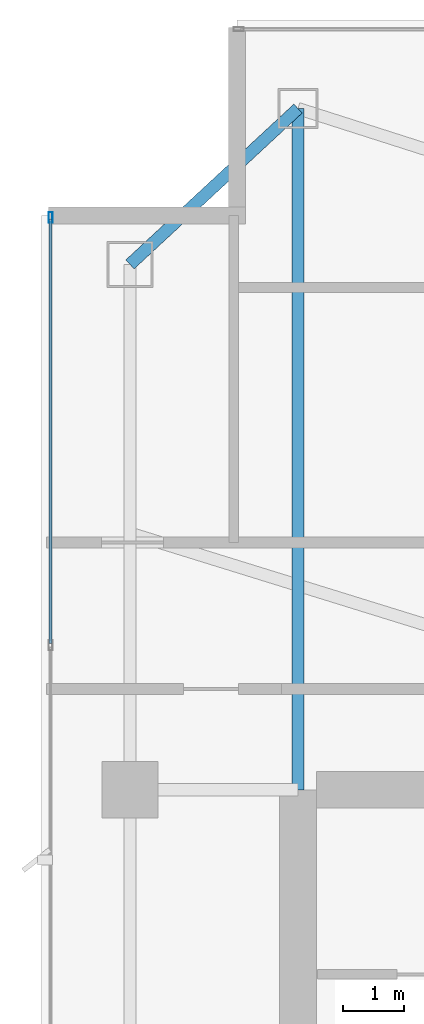
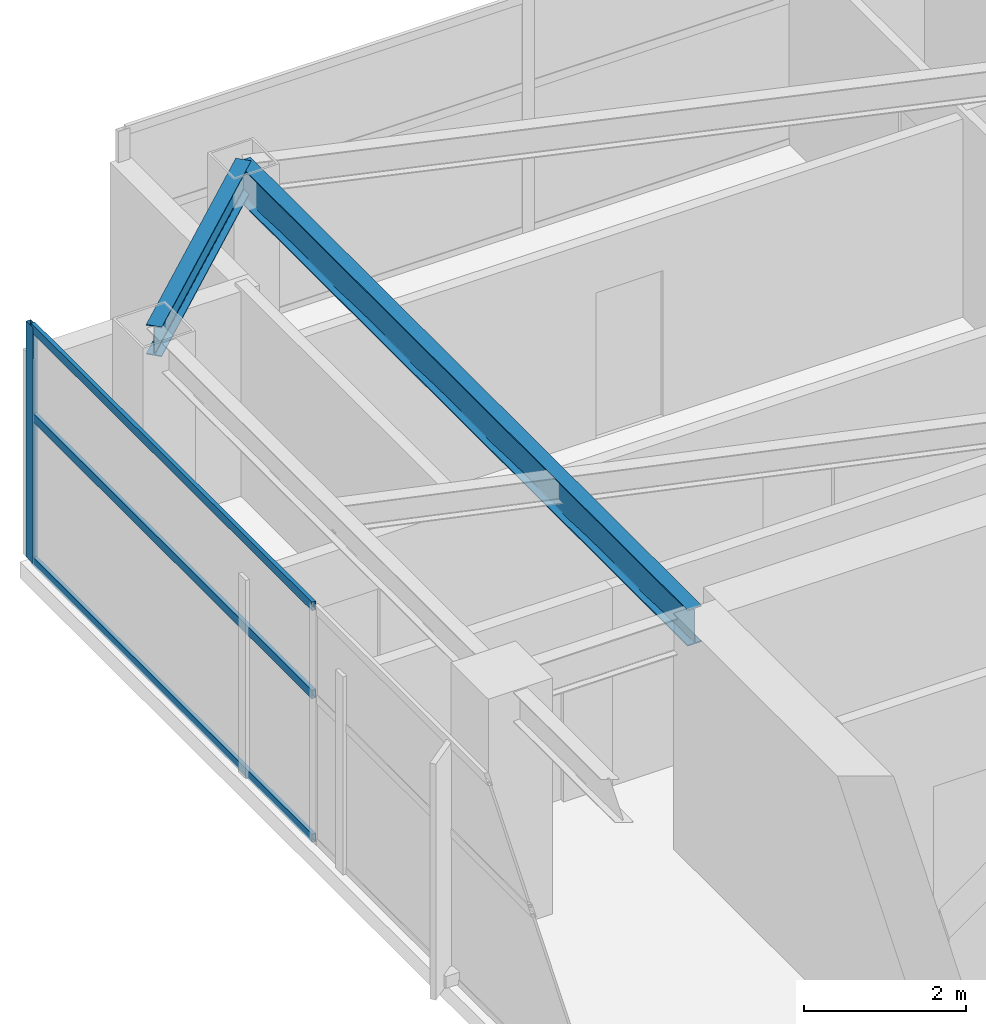
# One storey, part 17 of 28: 4 members, 2 beams, 1 element without a shape of its own.
"""IFC4 building model written with IfcOpenShell, lengths in metres."""

from ifc_helpers import new_model, si_unit, direction, frame, origin, origin_2d, place, context, subcontext, project, spatial, hollow_rectangle, i_section, extrude, material, layer, layer_set, material_profile, profile_set, type_object, element, aggregate, save


model = new_model("IFC4")

# Units and contexts
model_context = context("Model", 3, precision=1e-05, world=origin(), true_north=direction((0.0, 1.0)))
body_context = subcontext(model_context, "Body", "Model", "MODEL_VIEW")
ifc_project = project(units=[si_unit("LENGTHUNIT", "METRE"), si_unit("AREAUNIT", "SQUARE_METRE"), si_unit("VOLUMEUNIT", "CUBIC_METRE"), si_unit("PLANEANGLEUNIT", "RADIAN"), si_unit("MASSUNIT", "GRAM", prefix="KILO")], contexts=[model_context])

# Site, building, storey
site_placement = place(None, origin())
site = spatial("IfcSite", under=ifc_project, at=site_placement, CompositionType="ELEMENT")
building_placement = place(site_placement, origin())
building = spatial("IfcBuilding", under=site, at=building_placement, Name="Calvorn Quay Hotel", CompositionType="ELEMENT")
storey_placement = place(building_placement, frame((0.0, 0.0, 274.89990234375)))
storey = spatial("IfcBuildingStorey", under=building, at=storey_placement, Name="L68", CompositionType="ELEMENT", Elevation=274.89990234375)

# Beams
ifc_material_1 = material(Name="Steel Q355B", Category="steel")
ifc_material_profile_1 = material_profile(ifc_material_1, i_section(OverallWidth=0.199951171875, OverallDepth=0.550048828125, WebThickness=0.010009765625, FlangeThickness=0.01611328125, FilletRadius=0.01806640625, at=origin_2d()), Name="HN550x200x10x16")
ifc_profile_set_1 = profile_set([ifc_material_profile_1], Name="Steel Q355B")
beam_type_1 = type_object("IfcBeamType", Name="BM-GIRD-UPP", PredefinedType="BEAM", material=ifc_profile_set_1)
beam_1_placement = place(storey_placement, frame((4.199951171875, 49.550048828125, 3.26513671875), z_axis=(0.0, -1.0, 0.0), x_axis=(1.0, 0.0, 0.0)))
element("IfcBeam", 1, at=beam_1_placement, inside=storey, type_object=beam_type_1, Name="Beam BG-L68-W5", PredefinedType="BEAM", context=body_context, shape_type="SweptSolid", body=[
    extrude(i_section(OverallWidth=0.199951171875, OverallDepth=0.550048828125, WebThickness=0.010009765625, FlangeThickness=0.01611328125, FilletRadius=0.01806640625, at=origin_2d()), origin(), (0.0, 0.0, 1.0), 11.150146484375),
])
ifc_material_2 = material(Name="Steel Q355B", Category="steel")
ifc_material_profile_2 = material_profile(ifc_material_2, i_section(OverallWidth=0.199951171875, OverallDepth=0.449951171875, WebThickness=0.009033203125, FlangeThickness=0.013916015625, FilletRadius=0.01611328125, at=origin_2d()), Name="HN450x200x9x14")
ifc_profile_set_2 = profile_set([ifc_material_profile_2], Name="Steel Q355B")
beam_type_2 = type_object("IfcBeamType", Name="BM-SPANDREL-Z3", PredefinedType="SPANDREL", material=ifc_profile_set_2)
beam_2_placement = place(storey_placement, frame((1.449951171875, 47.0, 3.315185546875), z_axis=(0.733261665538, 0.679946563969, 0.0), x_axis=(-0.679946563969, 0.733261665538, 0.0)))
element("IfcBeam", 2, at=beam_2_placement, inside=storey, type_object=beam_type_2, Name="Beam BSP-L68-W5", PredefinedType="SPANDREL", context=body_context, shape_type="SweptSolid", body=[
    extrude(i_section(OverallWidth=0.199951171875, OverallDepth=0.449951171875, WebThickness=0.009033203125, FlangeThickness=0.013916015625, FilletRadius=0.01611328125, at=origin_2d()), origin(), (0.0, 0.0, 1.0), 3.75048828125),
])

# Curtain wall, members
ifc_material_3 = material(Name="Champagne Bronze Anodised Aluminium and Low-E Glass", Category="aluminium")
ifc_layer = layer(ifc_material_3, 0.219970703125)
ifc_layer_set = layer_set([ifc_layer], Name="CW-SYS-Z4")
curtain_wall_type = type_object("IfcCurtainWallType", Name="CW-SYS-Z4", PredefinedType="NOTDEFINED", material=ifc_layer_set)
curtain_wall_placement = place(storey_placement, origin())
curtain_wall = element("IfcCurtainWall", 3, at=curtain_wall_placement, inside=storey, type_object=curtain_wall_type, Name="Tower West Curtain Wall (L68)", PredefinedType="NOTDEFINED")
ifc_material_4 = material(Name="Champagne Bronze Anodised Aluminium 6063-T6", Category="aluminium")
ifc_material_profile_3 = material_profile(ifc_material_4, hollow_rectangle(XDim=0.06494140625, YDim=0.169921875, WallThickness=0.00341796875, at=origin_2d()), Name="ALU-M170x65x3.5")
ifc_profile_set_3 = profile_set([ifc_material_profile_3], Name="Champagne Bronze Anodised Aluminium 6063-T6")
member_type_1 = type_object("IfcMemberType", Name="CW-SYS-Z4-MUL", PredefinedType="MULLION", material=ifc_profile_set_3)
member_1_placement = place(storey_placement, frame((0.14990234375, 47.77001953125, 0.0), z_axis=(0.0, 0.0, 1.0), x_axis=(-1.0, 0.0, 0.0)))
member_1 = element("IfcMember", 4, at=member_1_placement, type_object=member_type_1, Name="CW-L68-W mullion 7", PredefinedType="MULLION", context=body_context, shape_type="SweptSolid", body=[
    extrude(hollow_rectangle(XDim=0.06494140625, YDim=0.169921875, WallThickness=0.00341796875, at=origin_2d()), origin(), (0.0, 0.0, 1.0), 3.56005859375),
])
ifc_material_5 = material(Name="Champagne Bronze Anodised Aluminium 6063-T6", Category="aluminium")
ifc_material_profile_4 = material_profile(ifc_material_5, hollow_rectangle(XDim=0.054931640625, YDim=0.1298828125, WallThickness=0.003173828125, at=origin_2d()), Name="ALU-T130x55x3.2")
ifc_profile_set_4 = profile_set([ifc_material_profile_4], Name="Champagne Bronze Anodised Aluminium 6063-T6")
member_type_2 = type_object("IfcMemberType", Name="CW-SYS-Z4-TRN", PredefinedType="USERDEFINED", material=ifc_profile_set_4)
member_2_placement = place(storey_placement, frame((0.14990234375, 40.796630859375, 0.030029296875), z_axis=(0.0, 1.0, 0.0), x_axis=(-1.0, 0.0, 0.0)))
member_2 = element("IfcMember", 5, at=member_2_placement, type_object=member_type_2, Name="CW-L68-W transom 6.1", ObjectType="TRANSOM", PredefinedType="USERDEFINED", context=body_context, shape_type="SweptSolid", body=[
    extrude(hollow_rectangle(XDim=0.054931640625, YDim=0.1298828125, WallThickness=0.003173828125, at=origin_2d()), origin(), (0.0, 0.0, 1.0), 6.943359375),
])
member_3_placement = place(storey_placement, frame((0.14990234375, 40.796630859375, 2.2001953125), z_axis=(0.0, 1.0, 0.0), x_axis=(-1.0, 0.0, 0.0)))
member_3 = element("IfcMember", 6, at=member_3_placement, type_object=member_type_2, Name="CW-L68-W transom 6.2", ObjectType="TRANSOM", PredefinedType="USERDEFINED", context=body_context, shape_type="SweptSolid", body=[
    extrude(hollow_rectangle(XDim=0.054931640625, YDim=0.1298828125, WallThickness=0.003173828125, at=origin_2d()), origin(), (0.0, 0.0, 1.0), 6.943359375),
])
member_4_placement = place(storey_placement, frame((0.14990234375, 40.796630859375, 3.530029296875), z_axis=(0.0, 1.0, 0.0), x_axis=(-1.0, 0.0, 0.0)))
member_4 = element("IfcMember", 7, at=member_4_placement, type_object=member_type_2, Name="CW-L68-W transom 6.3", ObjectType="TRANSOM", PredefinedType="USERDEFINED", context=body_context, shape_type="SweptSolid", body=[
    extrude(hollow_rectangle(XDim=0.054931640625, YDim=0.1298828125, WallThickness=0.003173828125, at=origin_2d()), origin(), (0.0, 0.0, 1.0), 6.943359375),
])
aggregate(curtain_wall, [member_1, member_2, member_3, member_4])

save(model, "model.ifc")
